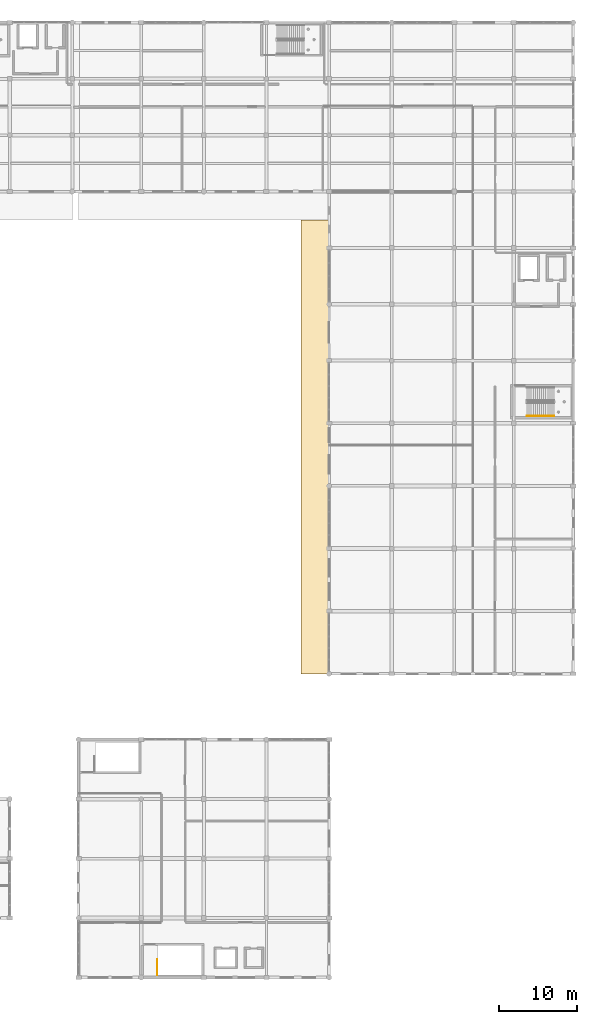
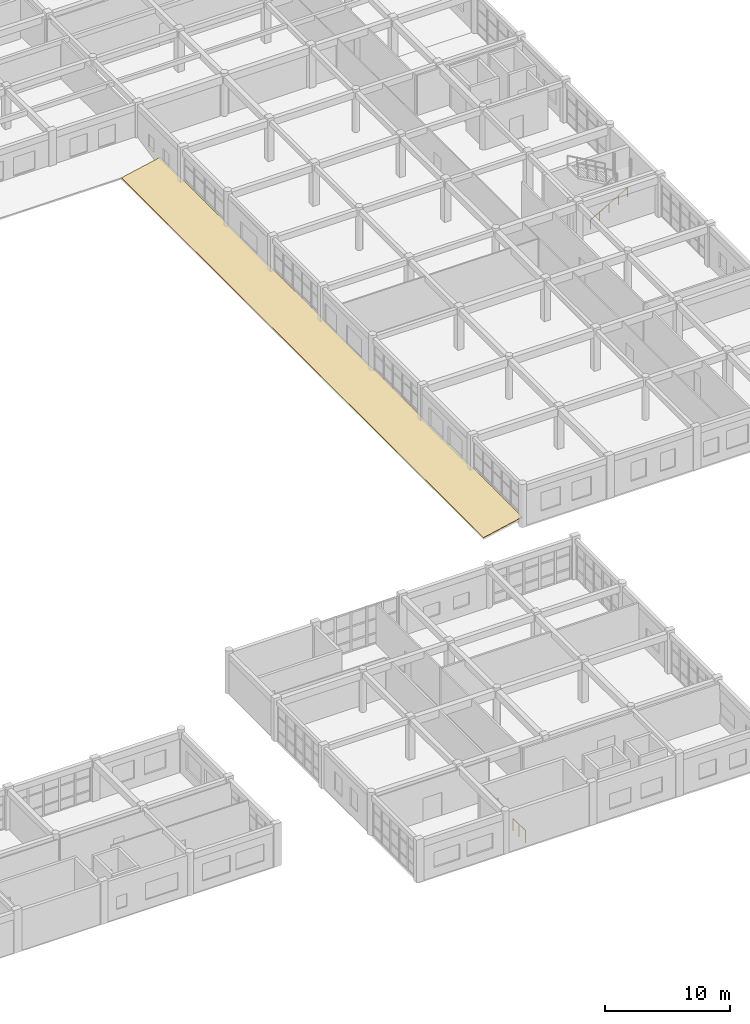
# One storey, part 118 of 121: 2 railings, 1 covering.
"""IFC4 building model written with IfcOpenShell, lengths in metres."""

import ifcopenshell
import ifcopenshell.guid

model = None  # the IFC model being written
_history = None  # IfcOwnerHistory: only IFC2X3 demands one
_inside = {}  # id of a spatial element -> (the spatial element, [elements in it])
_under = {}  # id of a project, library or spatial element -> (it, [spatial elements below it])
_declared = {}  # id of a project -> (the project, [libraries it declares])
_typed = {}  # id of a type object -> (the type object, [elements of that type])
_made_of = {}  # id of a material, layer set ... -> (it, [elements and type objects made of it])


def new_model(schema):
    """Start an empty IFC model of exactly this schema.

    Asked for "IFC4X3", IfcOpenShell would pick the latest addendum, in which some entities
    have other attributes; the version numbers below select the first issue.
    IFC2X3 requires an IfcOwnerHistory on every rooted entity: one is made here for all.
    """
    global model, _history
    if schema == "IFC4X3":
        model = ifcopenshell.file(schema_version=(4, 3, 0, 0))
    else:
        model = ifcopenshell.file(schema=schema)
    _inside.clear()
    _under.clear()
    _declared.clear()
    _typed.clear()
    _made_of.clear()
    _history = None
    if model.schema == "IFC2X3":
        org = make("IfcOrganization", Name="unknown")
        user = make(
            "IfcPersonAndOrganization",
            ThePerson=make("IfcPerson", FamilyName="unknown"),
            TheOrganization=org,
        )
        app = make(
            "IfcApplication",
            ApplicationDeveloper=org,
            Version="unknown",
            ApplicationFullName="unknown",
            ApplicationIdentifier="unknown",
        )
        _history = make(
            "IfcOwnerHistory",
            OwningUser=user,
            OwningApplication=app,
            ChangeAction="ADDED",
            CreationDate=0,
        )
    return model


def make(cls, **values):
    """One entity of the class cls with the attributes given. An attribute that is None is left unset."""
    return model.create_entity(
        cls, **{name: value for name, value in values.items() if value is not None}
    )


def rooted(cls, **values):
    """An entity with a GlobalId (a new one), such as an element, a storey or a relation."""
    return make(cls, GlobalId=ifcopenshell.guid.new(), OwnerHistory=_history, **values)


def si_unit(unit_type, name, prefix=None):
    """IfcSIUnit, for example si_unit("LENGTHUNIT", "METRE", prefix="MILLI")."""
    return make("IfcSIUnit", UnitType=unit_type, Prefix=prefix, Name=name)


def assignment(units):
    """IfcUnitAssignment: the units of a project."""
    return None if units is None else make("IfcUnitAssignment", Units=units)


def point(xyz):
    """IfcCartesianPoint."""
    return None if xyz is None else make("IfcCartesianPoint", Coordinates=xyz)


def direction(xyz):
    """IfcDirection."""
    return None if xyz is None else make("IfcDirection", DirectionRatios=xyz)


def frame(location, z_axis=None, x_axis=None):
    """IfcAxis2Placement3D, a coordinate frame: its origin and axes. An axis left out is left unset."""
    return make(
        "IfcAxis2Placement3D",
        Location=point(location),
        Axis=direction(z_axis),
        RefDirection=direction(x_axis),
    )


def frame_2d(location, x_axis=None):
    """IfcAxis2Placement2D, a coordinate frame in the plane: its origin and x axis."""
    return make(
        "IfcAxis2Placement2D", Location=point(location), RefDirection=direction(x_axis)
    )


def origin():
    """The frame at (0, 0, 0) with its axes left unset."""
    return frame((0.0, 0.0, 0.0))


def origin_2d():
    """The frame at (0, 0) in the plane with its x axis left unset."""
    return frame_2d((0.0, 0.0))


def place(relative_to, where):
    """IfcLocalPlacement: puts the frame where relative to a parent placement (None: the world)."""
    return make(
        "IfcLocalPlacement", PlacementRelTo=relative_to, RelativePlacement=where
    )


def context(
    kind, dimensions, precision=None, world=None, true_north=None, identifier=None
):
    """IfcGeometricRepresentationContext, for example the 3D "Model" context."""
    return make(
        "IfcGeometricRepresentationContext",
        ContextIdentifier=identifier,
        ContextType=kind,
        CoordinateSpaceDimension=dimensions,
        Precision=precision,
        WorldCoordinateSystem=world,
        TrueNorth=true_north,
    )


def subcontext(parent, identifier, kind, view, scale=None):
    """IfcGeometricRepresentationSubContext, for example "Body" below "Model"."""
    return make(
        "IfcGeometricRepresentationSubContext",
        ContextIdentifier=identifier,
        ContextType=kind,
        ParentContext=parent,
        TargetScale=scale,
        TargetView=view,
    )


def project(units=None, contexts=None):
    """IfcProject with its units and contexts."""
    return rooted(
        "IfcProject",
        Name="project",
        RepresentationContexts=contexts,
        UnitsInContext=assignment(units),
    )


def spatial(cls, under=None, at=None, **own):
    """A site, building, storey or space (cls), placed at a placement, below another one or the project."""
    s = rooted(cls, ObjectPlacement=at, **own)
    if under is not None:
        _under.setdefault(under.id(), (under, []))[1].append(s)
    return s


def polyline(points):
    """IfcPolyline through the points."""
    return make("IfcPolyline", Points=[point(p) for p in points])


def profile(cls, at=None, kind="AREA", **sizes):
    """A parametric profile (cls). Its sizes go by their IFC names, for example OverallWidth=200.0."""
    return make(cls, ProfileType=kind, Position=at, **sizes)


def circle(**sizes):
    """IfcCircleProfileDef."""
    return profile("IfcCircleProfileDef", **sizes)


def outline(outer, holes=None, kind="AREA"):
    """IfcArbitraryClosedProfileDef: a profile drawn as a closed curve; with holes, ...WithVoids."""
    if holes is None:
        return make("IfcArbitraryClosedProfileDef", ProfileType=kind, OuterCurve=outer)
    return make(
        "IfcArbitraryProfileDefWithVoids",
        ProfileType=kind,
        OuterCurve=outer,
        InnerCurves=holes,
    )


def extrude(swept, where, along, depth):
    """IfcExtrudedAreaSolid: the profile swept, set in the frame where, extruded along a direction by depth."""
    return make(
        "IfcExtrudedAreaSolid",
        SweptArea=swept,
        Position=where,
        ExtrudedDirection=direction(along),
        Depth=depth,
    )


def shape(context_of_items, identifier, shape_type, items):
    """IfcShapeRepresentation: the items that make up one representation, for example the "Body"."""
    return make(
        "IfcShapeRepresentation",
        ContextOfItems=context_of_items,
        RepresentationIdentifier=identifier,
        RepresentationType=shape_type,
        Items=items,
    )


def material(Name=None, Category=None):
    """IfcMaterial."""
    return make("IfcMaterial", Name=Name, Category=Category)


def layer(
    of_material, thickness, ventilated=None, Name=None, Category=None, Priority=None
):
    """IfcMaterialLayer: one layer of a wall or slab, of a material (None: an air gap)."""
    return make(
        "IfcMaterialLayer",
        Material=of_material,
        LayerThickness=thickness,
        IsVentilated=ventilated,
        Name=Name,
        Category=Category,
        Priority=Priority,
    )


def layer_set(layers, Name=None):
    """IfcMaterialLayerSet."""
    return make("IfcMaterialLayerSet", MaterialLayers=layers, LayerSetName=Name)


def made_of(thing, what):
    """Note that an element or type object is made of a material, layer set ...; save() writes the relation."""
    if what is not None:
        _made_of.setdefault(what.id(), (what, []))[1].append(thing)
    return thing


def type_object(cls, material=None, **own):
    """A type object (cls), such as IfcWallType, which elements share."""
    return made_of(rooted(cls, **own), material)


def element(
    cls,
    number,
    at=None,
    inside=None,
    cuts=None,
    type_object=None,
    material=None,
    context=None,
    identifier="Body",
    shape_type=None,
    held_by="IfcProductDefinitionShape",
    body=None,
    shapes=None,
    **own,
):
    """One element of the class cls, such as IfcWall. Its Tag is "e" and its number.

    at: its placement. inside: the storey or other place that contains it. cuts: it is an
    opening in that element (IfcRelVoidsElement). A single representation is given by context,
    identifier, shape_type and body (its items); several are given by shapes. held_by: the class
    of the entity that holds the representations. save() writes the other relations.
    """
    e = rooted(cls, Tag="e%d" % number, ObjectPlacement=at, **own)
    if body is not None:
        shapes = [shape(context, identifier, shape_type, body)]
    if shapes is not None:
        e.Representation = make(held_by, Representations=shapes)
    if inside is not None:
        _inside.setdefault(inside.id(), (inside, []))[1].append(e)
    if cuts is not None:
        rooted(
            "IfcRelVoidsElement", RelatingBuildingElement=cuts, RelatedOpeningElement=e
        )
    if type_object is not None:
        _typed.setdefault(type_object.id(), (type_object, []))[1].append(e)
    return made_of(e, material)


def aggregate(whole, parts):
    """IfcRelAggregates: a whole, such as a stair, and the parts it consists of."""
    return rooted("IfcRelAggregates", RelatingObject=whole, RelatedObjects=parts)


def save(model, path):
    """Write the relations noted so far, then the file.

    IfcRelAggregates (storeys below a building ...), IfcRelContainedInSpatialStructure (elements
    in a storey), IfcRelDefinesByType, IfcRelAssociatesMaterial and IfcRelDeclares: one each for
    every whole, place, type object, material and project.
    """
    for whole, parts in _under.values():
        aggregate(whole, parts)
    for where, things in _inside.values():
        rooted(
            "IfcRelContainedInSpatialStructure",
            RelatedElements=things,
            RelatingStructure=where,
        )
    for kind, things in _typed.values():
        rooted("IfcRelDefinesByType", RelatedObjects=things, RelatingType=kind)
    for what, things in _made_of.values():
        rooted("IfcRelAssociatesMaterial", RelatedObjects=things, RelatingMaterial=what)
    for by, libraries in _declared.values():
        rooted("IfcRelDeclares", RelatingContext=by, RelatedDefinitions=libraries)
    model.write(path)


model = new_model("IFC4")

# Units and contexts
model_context = context("Model", 3, precision=1e-05, world=origin(), true_north=direction((0.0, 1.0)))
body_context = subcontext(model_context, "Body", "Model", "MODEL_VIEW")
ifc_project = project(units=[si_unit("LENGTHUNIT", "METRE"), si_unit("AREAUNIT", "SQUARE_METRE"), si_unit("VOLUMEUNIT", "CUBIC_METRE"), si_unit("PLANEANGLEUNIT", "RADIAN"), si_unit("MASSUNIT", "GRAM", prefix="KILO")], contexts=[model_context])

# Site, building, storey
site_placement = place(None, origin())
site = spatial("IfcSite", under=ifc_project, at=site_placement, CompositionType="ELEMENT")
building_placement = place(site_placement, origin())
building = spatial("IfcBuilding", under=site, at=building_placement, Name="Kharva Crest Polytechnic", CompositionType="ELEMENT")
storey_placement = place(building_placement, frame((0.0, 0.0, 13.199951171875)))
storey = spatial("IfcBuildingStorey", under=building, at=storey_placement, Name="L03", CompositionType="ELEMENT", Elevation=13.199951171875)

# Covering
ifc_material_1 = material(Name="Anodised aluminium", Category="aluminium")
ifc_layer = layer(ifc_material_1, 0.044921875, Name="Anodised aluminium")
ifc_layer_set = layer_set([ifc_layer], Name="Anodised aluminium")
covering_type = type_object("IfcCoveringType", Name="COV-ROOF-MEMBRANE", PredefinedType="ROOFING", material=ifc_layer_set)
covering_placement = place(storey_placement, frame((149.199951171875, 38.800048828125, 0.045166015625), z_axis=(-0.206492002783, 0.0, 0.978448288254), x_axis=(0.978448288254, 0.0, 0.206492002783)))
element("IfcCovering", 1, at=covering_placement, inside=storey, type_object=covering_type, Name="L03 Standing-Seam Roof Covering 23", PredefinedType="ROOFING", context=body_context, shape_type="SweptSolid", body=[
    extrude(outline(polyline([(0.0, 0.0), (3.679394914856026, 0.0), (3.679394914856026, 58.0), (0.0, 58.0), (0.0, 0.0)])), origin(), (0.0, 0.0, -1.0), 0.044921875),
])

# Railings
railing_type_1 = type_object("IfcRailingType", Name="RL-STAIR-GUARD-1200", PredefinedType="GUARDRAIL", material=ifc_material_1)
railing_1_placement = place(storey_placement, frame((130.840087890625, 0.300048828125, 0.0)))
element("IfcRailing", 2, at=railing_1_placement, inside=storey, type_object=railing_type_1, Name="L03 ST-06 top well guard 1", PredefinedType="GUARDRAIL", context=body_context, shape_type="SweptSolid", body=[
    extrude(circle(Radius=0.02392578125, at=origin_2d()), frame((0.0, 0.0, 1.17578125), z_axis=(0.0, 1.0, 0.0), x_axis=(-1.0, 0.0, 0.0)), (0.0, 0.0, 1.0), 1.97998046875),
    extrude(circle(Radius=0.02099609375, at=origin_2d()), origin(), (0.0, 0.0, 1.0), 1.15185546875),
    extrude(circle(Radius=0.02099609375, at=origin_2d()), frame((0.0, 0.989990234375, 0.0)), (0.0, 0.0, 1.0), 1.15185546875),
    extrude(circle(Radius=0.02099609375, at=origin_2d()), frame((0.0, 1.97998046875, 0.0)), (0.0, 0.0, 1.0), 1.15185546875),
])
ifc_material_2 = material(Name="Teak timber", Category="wood")
railing_type_2 = type_object("IfcRailingType", Name="RL-STAIR-HAND-900", PredefinedType="HANDRAIL", material=ifc_material_2)
railing_2_placement = place(storey_placement, frame((178.090087890625, 71.719970703125, 0.150146484375)))
element("IfcRailing", 3, at=railing_2_placement, inside=storey, type_object=railing_type_2, Name="L03 ST-05 stair handrail 1", PredefinedType="HANDRAIL", context=body_context, shape_type="SweptSolid", body=[
    extrude(circle(Radius=0.02392578125, at=origin_2d()), frame((0.0, 0.0, 0.8759765625), z_axis=(0.870251367514, 0.0, 0.492607914411), x_axis=(0.0, 1.0, 0.0)), (0.0, 0.0, 1.0), 3.95849609375),
    extrude(circle(Radius=0.02099609375, at=origin_2d()), origin(), (0.0, 0.0, 1.0), 0.851806640625),
    extrude(circle(Radius=0.02099609375, at=origin_2d()), frame((0.861328125, 0.0, 0.487548828125)), (0.0, 0.0, 1.0), 0.851806640625),
    extrude(circle(Radius=0.02099609375, at=origin_2d()), frame((1.722412109375, 0.0, 0.97509765625)), (0.0, 0.0, 1.0), 0.851806640625),
    extrude(circle(Radius=0.02099609375, at=origin_2d()), frame((2.58349609375, 0.0, 1.46240234375)), (0.0, 0.0, 1.0), 0.851806640625),
    extrude(circle(Radius=0.02099609375, at=origin_2d()), frame((3.44482421875, 0.0, 1.949951171875)), (0.0, 0.0, 1.0), 0.851806640625),
])

save(model, "model.ifc")
